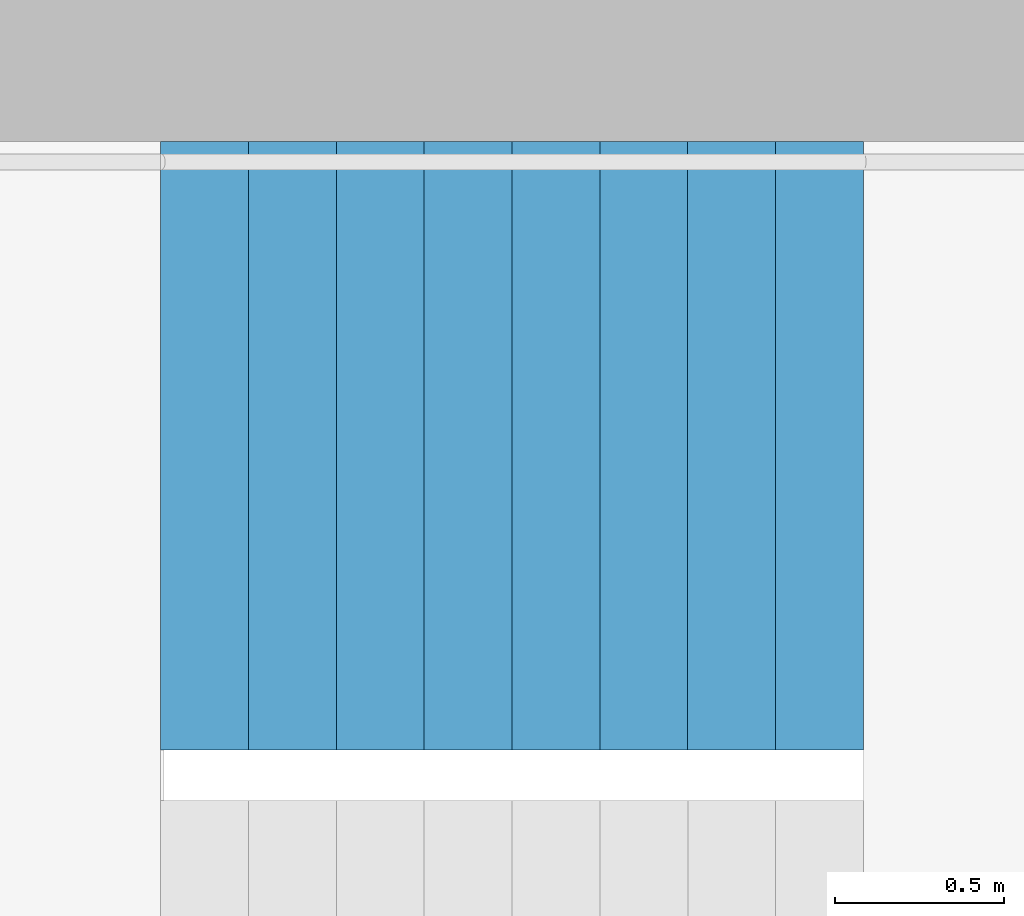
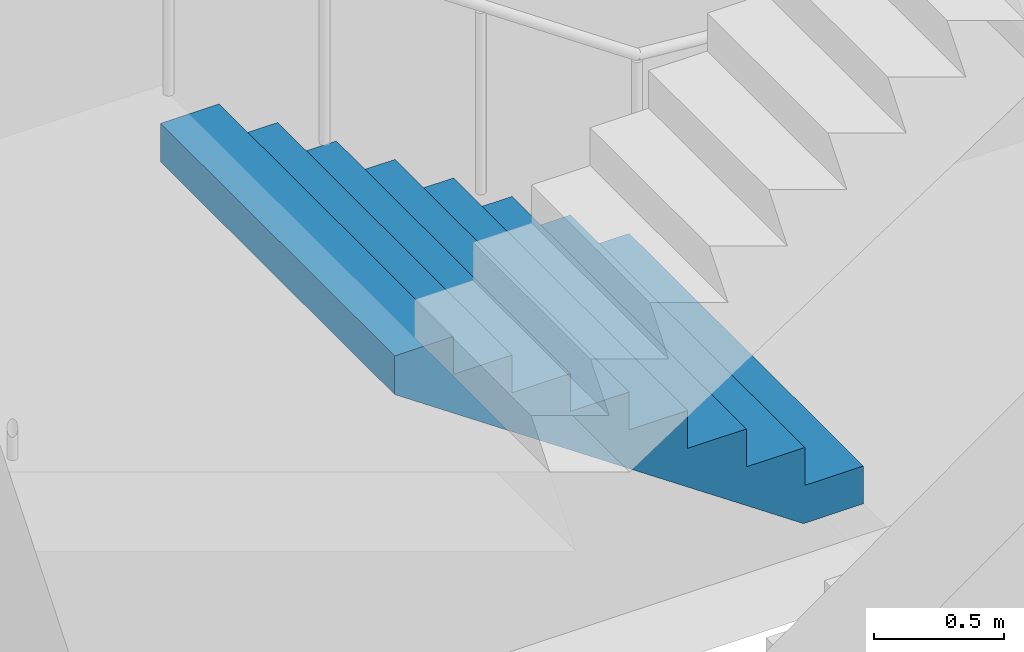
# One storey, part 23 of 43: 1 stair flight, 1 element without a shape of its own.
"""IFC4 building model written with IfcOpenShell, lengths in metres."""

from ifc_helpers import new_model, si_unit, direction, frame, origin, place, context, subcontext, project, spatial, triangles, material, type_object, element, aggregate, save


model = new_model("IFC4")

# Units and contexts
model_context = context("Model", 3, precision=1e-05, world=origin(), true_north=direction((0.0, 1.0)))
body_context = subcontext(model_context, "Body", "Model", "MODEL_VIEW")
ifc_project = project(units=[si_unit("LENGTHUNIT", "METRE"), si_unit("AREAUNIT", "SQUARE_METRE"), si_unit("VOLUMEUNIT", "CUBIC_METRE"), si_unit("PLANEANGLEUNIT", "RADIAN"), si_unit("MASSUNIT", "GRAM", prefix="KILO")], contexts=[model_context])

# Site, building, storey
site_placement = place(None, origin())
site = spatial("IfcSite", under=ifc_project, at=site_placement, CompositionType="ELEMENT")
building_placement = place(site_placement, origin())
building = spatial("IfcBuilding", under=site, at=building_placement, Name="Hakoniwa Tower and Hamabe Station Hall", CompositionType="ELEMENT")
storey_placement = place(building_placement, frame((0.0, 0.0, 124.60009765625)))
storey = spatial("IfcBuildingStorey", under=building, at=storey_placement, Name="L35", CompositionType="ELEMENT", Elevation=124.60009765625)

# Stair, stair flight
ifc_material_1 = material(Name="Concrete C40", Category="concrete")
stair_type = type_object("IfcStairType", Name="ESCAPE STAIR 1800", PredefinedType="HALF_TURN_STAIR", material=ifc_material_1)
stair_placement = place(storey_placement, origin())
stair = element("IfcStair", 1, at=stair_placement, inside=storey, type_object=stair_type, Name="Escape stair ST-1 L35", PredefinedType="HALF_TURN_STAIR")
ifc_material_2 = material(Name="Concrete C40", Category="concrete")
stair_flight_type = type_object("IfcStairFlightType", Name="STAIR FLIGHT 1800", PredefinedType="STRAIGHT", material=ifc_material_2)
stair_flight_placement = place(storey_placement, frame((-22.320068359375, 6.60009765625, 1.599853515625), z_axis=(0.0, 0.0, 1.0), x_axis=(-1.0, 0.0, 0.0)))
stair_flight = element("IfcStairFlight", 2, at=stair_flight_placement, type_object=stair_flight_type, Name="ST-1 flight 2", NumberOfRisers=9, NumberOfTreads=8, PredefinedType="STRAIGHT", RiserHeight=0.177777778, TreadLength=0.26, context=body_context, shape_type="Tessellation", body=[
    triangles([(0.0, 0.89990234375, 0.0), (0.260009765625, 0.89990234375, 0.0), (0.265625, 0.89990234375, 0.0), (0.52001953125, 0.89990234375, 0.174072265625), (0.780029296875, 0.89990234375, 0.351806640625), (1.0400390625, 0.89990234375, 0.529541015625), (1.300048828125, 0.89990234375, 0.707275390625), (1.56005859375, 0.89990234375, 0.885009765625), (1.820068359375, 0.89990234375, 1.062744140625), (2.080078125, 0.89990234375, 1.24072265625), (2.080078125, 0.89990234375, 1.422119140625), (1.820068359375, 0.89990234375, 1.422119140625), (1.820068359375, 0.89990234375, 1.244384765625), (1.56005859375, 0.89990234375, 1.244384765625), (1.56005859375, 0.89990234375, 1.066650390625), (1.300048828125, 0.89990234375, 1.066650390625), (1.300048828125, 0.89990234375, 0.888916015625), (1.0400390625, 0.89990234375, 0.888916015625), (1.0400390625, 0.89990234375, 0.711181640625), (0.780029296875, 0.89990234375, 0.711181640625), (0.780029296875, 0.89990234375, 0.533447265625), (0.52001953125, 0.89990234375, 0.533447265625), (0.52001953125, 0.89990234375, 0.35546875), (0.265625, 0.89990234375, 0.35546875), (0.260009765625, 0.89990234375, 0.35546875), (0.260009765625, 0.89990234375, 0.177734375), (0.0, 0.89990234375, 0.177734375), (0.0, 0.06005859375, 0.0), (0.260009765625, 0.06005859375, 0.0), (0.265625, 0.06005859375, 0.0), (0.52001953125, 0.06005859375, 0.174072265625), (0.780029296875, 0.06005859375, 0.351806640625), (1.0400390625, 0.06005859375, 0.529541015625), (1.300048828125, 0.06005859375, 0.707275390625), (1.56005859375, 0.06005859375, 0.885009765625), (1.820068359375, 0.06005859375, 1.062744140625), (2.080078125, 0.06005859375, 1.24072265625), (2.080078125, 0.06005859375, 1.422119140625), (1.820068359375, 0.06005859375, 1.422119140625), (1.820068359375, 0.06005859375, 1.244384765625), (1.56005859375, 0.06005859375, 1.244384765625), (1.56005859375, 0.06005859375, 1.066650390625), (1.300048828125, 0.06005859375, 1.066650390625), (1.300048828125, 0.06005859375, 0.888916015625), (1.0400390625, 0.06005859375, 0.888916015625), (1.0400390625, 0.06005859375, 0.711181640625), (0.780029296875, 0.06005859375, 0.711181640625), (0.780029296875, 0.06005859375, 0.533447265625), (0.52001953125, 0.06005859375, 0.533447265625), (0.52001953125, 0.06005859375, 0.35546875), (0.265625, 0.06005859375, 0.35546875), (0.260009765625, 0.06005859375, 0.35546875), (0.260009765625, 0.06005859375, 0.177734375), (0.0, 0.06005859375, 0.177734375), (0.0, 0.04296875, 0.0), (0.260009765625, 0.04296875, 0.0), (0.265625, 0.04296875, 0.0), (0.52001953125, 0.04296875, 0.174072265625), (0.780029296875, 0.04296875, 0.351806640625), (1.0400390625, 0.04296875, 0.529541015625), (1.300048828125, 0.04296875, 0.707275390625), (1.56005859375, 0.04296875, 0.885009765625), (1.820068359375, 0.04296875, 1.062744140625), (2.080078125, 0.04296875, 1.24072265625), (2.080078125, 0.04296875, 1.422119140625), (1.820068359375, 0.04296875, 1.422119140625), (1.820068359375, 0.04296875, 1.244384765625), (1.56005859375, 0.04296875, 1.244384765625), (1.56005859375, 0.04296875, 1.066650390625), (1.300048828125, 0.04296875, 1.066650390625), (1.300048828125, 0.04296875, 0.888916015625), (1.0400390625, 0.04296875, 0.888916015625), (1.0400390625, 0.04296875, 0.711181640625), (0.780029296875, 0.04296875, 0.711181640625), (0.780029296875, 0.04296875, 0.533447265625), (0.52001953125, 0.04296875, 0.533447265625), (0.52001953125, 0.04296875, 0.35546875), (0.265625, 0.04296875, 0.35546875), (0.260009765625, 0.04296875, 0.35546875), (0.260009765625, 0.04296875, 0.177734375), (0.0, 0.04296875, 0.177734375), (0.0, 0.025634765625, 0.0), (0.260009765625, 0.025634765625, 0.0), (0.265625, 0.025634765625, 0.0), (0.52001953125, 0.025634765625, 0.174072265625), (0.780029296875, 0.025634765625, 0.351806640625), (1.0400390625, 0.025634765625, 0.529541015625), (1.300048828125, 0.025634765625, 0.707275390625), (1.56005859375, 0.025634765625, 0.885009765625), (1.820068359375, 0.025634765625, 1.062744140625), (2.080078125, 0.025634765625, 1.24072265625), (2.080078125, 0.025634765625, 1.422119140625), (1.820068359375, 0.025634765625, 1.422119140625), (1.820068359375, 0.025634765625, 1.244384765625), (1.56005859375, 0.025634765625, 1.244384765625), (1.56005859375, 0.025634765625, 1.066650390625), (1.300048828125, 0.025634765625, 1.066650390625), (1.300048828125, 0.025634765625, 0.888916015625), (1.0400390625, 0.025634765625, 0.888916015625), (1.0400390625, 0.025634765625, 0.711181640625), (0.780029296875, 0.025634765625, 0.711181640625), (0.780029296875, 0.025634765625, 0.533447265625), (0.52001953125, 0.025634765625, 0.533447265625), (0.52001953125, 0.025634765625, 0.35546875), (0.265625, 0.025634765625, 0.35546875), (0.260009765625, 0.025634765625, 0.35546875), (0.260009765625, 0.025634765625, 0.177734375), (0.0, 0.025634765625, 0.177734375), (0.0, 0.008544921875, 0.0), (0.260009765625, 0.008544921875, 0.0), (0.265625, 0.008544921875, 0.0), (0.52001953125, 0.008544921875, 0.174072265625), (0.780029296875, 0.008544921875, 0.351806640625), (1.0400390625, 0.008544921875, 0.529541015625), (1.300048828125, 0.008544921875, 0.707275390625), (1.56005859375, 0.008544921875, 0.885009765625), (1.820068359375, 0.008544921875, 1.062744140625), (2.080078125, 0.008544921875, 1.24072265625), (2.080078125, 0.008544921875, 1.422119140625), (1.820068359375, 0.008544921875, 1.422119140625), (1.820068359375, 0.008544921875, 1.244384765625), (1.56005859375, 0.008544921875, 1.244384765625), (1.56005859375, 0.008544921875, 1.066650390625), (1.300048828125, 0.008544921875, 1.066650390625), (1.300048828125, 0.008544921875, 0.888916015625), (1.0400390625, 0.008544921875, 0.888916015625), (1.0400390625, 0.008544921875, 0.711181640625), (0.780029296875, 0.008544921875, 0.711181640625), (0.780029296875, 0.008544921875, 0.533447265625), (0.52001953125, 0.008544921875, 0.533447265625), (0.52001953125, 0.008544921875, 0.35546875), (0.265625, 0.008544921875, 0.35546875), (0.260009765625, 0.008544921875, 0.35546875), (0.260009765625, 0.008544921875, 0.177734375), (0.0, 0.008544921875, 0.177734375), (0.0, -0.008544921875, 0.0), (0.260009765625, -0.008544921875, 0.0), (0.265625, -0.008544921875, 0.0), (0.52001953125, -0.008544921875, 0.174072265625), (0.780029296875, -0.008544921875, 0.351806640625), (1.0400390625, -0.008544921875, 0.529541015625), (1.300048828125, -0.008544921875, 0.707275390625), (1.56005859375, -0.008544921875, 0.885009765625), (1.820068359375, -0.008544921875, 1.062744140625), (2.080078125, -0.008544921875, 1.24072265625), (2.080078125, -0.008544921875, 1.422119140625), (1.820068359375, -0.008544921875, 1.422119140625), (1.820068359375, -0.008544921875, 1.244384765625), (1.56005859375, -0.008544921875, 1.244384765625), (1.56005859375, -0.008544921875, 1.066650390625), (1.300048828125, -0.008544921875, 1.066650390625), (1.300048828125, -0.008544921875, 0.888916015625), (1.0400390625, -0.008544921875, 0.888916015625), (1.0400390625, -0.008544921875, 0.711181640625), (0.780029296875, -0.008544921875, 0.711181640625), (0.780029296875, -0.008544921875, 0.533447265625), (0.52001953125, -0.008544921875, 0.533447265625), (0.52001953125, -0.008544921875, 0.35546875), (0.265625, -0.008544921875, 0.35546875), (0.260009765625, -0.008544921875, 0.35546875), (0.260009765625, -0.008544921875, 0.177734375), (0.0, -0.008544921875, 0.177734375), (0.0, -0.025634765625, 0.0), (0.260009765625, -0.025634765625, 0.0), (0.265625, -0.025634765625, 0.0), (0.52001953125, -0.025634765625, 0.174072265625), (0.780029296875, -0.025634765625, 0.351806640625), (1.0400390625, -0.025634765625, 0.529541015625), (1.300048828125, -0.025634765625, 0.707275390625), (1.56005859375, -0.025634765625, 0.885009765625), (1.820068359375, -0.025634765625, 1.062744140625), (2.080078125, -0.025634765625, 1.24072265625), (2.080078125, -0.025634765625, 1.422119140625), (1.820068359375, -0.025634765625, 1.422119140625), (1.820068359375, -0.025634765625, 1.244384765625), (1.56005859375, -0.025634765625, 1.244384765625), (1.56005859375, -0.025634765625, 1.066650390625), (1.300048828125, -0.025634765625, 1.066650390625), (1.300048828125, -0.025634765625, 0.888916015625), (1.0400390625, -0.025634765625, 0.888916015625), (1.0400390625, -0.025634765625, 0.711181640625), (0.780029296875, -0.025634765625, 0.711181640625), (0.780029296875, -0.025634765625, 0.533447265625), (0.52001953125, -0.025634765625, 0.533447265625), (0.52001953125, -0.025634765625, 0.35546875), (0.265625, -0.025634765625, 0.35546875), (0.260009765625, -0.025634765625, 0.35546875), (0.260009765625, -0.025634765625, 0.177734375), (0.0, -0.025634765625, 0.177734375), (0.0, -0.04296875, 0.0), (0.260009765625, -0.04296875, 0.0), (0.265625, -0.04296875, 0.0), (0.52001953125, -0.04296875, 0.174072265625), (0.780029296875, -0.04296875, 0.351806640625), (1.0400390625, -0.04296875, 0.529541015625), (1.300048828125, -0.04296875, 0.707275390625), (1.56005859375, -0.04296875, 0.885009765625), (1.820068359375, -0.04296875, 1.062744140625), (2.080078125, -0.04296875, 1.24072265625), (2.080078125, -0.04296875, 1.422119140625), (1.820068359375, -0.04296875, 1.422119140625), (1.820068359375, -0.04296875, 1.244384765625), (1.56005859375, -0.04296875, 1.244384765625), (1.56005859375, -0.04296875, 1.066650390625), (1.300048828125, -0.04296875, 1.066650390625), (1.300048828125, -0.04296875, 0.888916015625), (1.0400390625, -0.04296875, 0.888916015625), (1.0400390625, -0.04296875, 0.711181640625), (0.780029296875, -0.04296875, 0.711181640625), (0.780029296875, -0.04296875, 0.533447265625), (0.52001953125, -0.04296875, 0.533447265625), (0.52001953125, -0.04296875, 0.35546875), (0.265625, -0.04296875, 0.35546875), (0.260009765625, -0.04296875, 0.35546875), (0.260009765625, -0.04296875, 0.177734375), (0.0, -0.04296875, 0.177734375), (0.0, -0.06005859375, 0.0), (0.260009765625, -0.06005859375, 0.0), (0.265625, -0.06005859375, 0.0), (0.52001953125, -0.06005859375, 0.174072265625), (0.780029296875, -0.06005859375, 0.351806640625), (1.0400390625, -0.06005859375, 0.529541015625), (1.300048828125, -0.06005859375, 0.707275390625), (1.56005859375, -0.06005859375, 0.885009765625), (1.820068359375, -0.06005859375, 1.062744140625), (2.080078125, -0.06005859375, 1.24072265625), (2.080078125, -0.06005859375, 1.422119140625), (1.820068359375, -0.06005859375, 1.422119140625), (1.820068359375, -0.06005859375, 1.244384765625), (1.56005859375, -0.06005859375, 1.244384765625), (1.56005859375, -0.06005859375, 1.066650390625), (1.300048828125, -0.06005859375, 1.066650390625), (1.300048828125, -0.06005859375, 0.888916015625), (1.0400390625, -0.06005859375, 0.888916015625), (1.0400390625, -0.06005859375, 0.711181640625), (0.780029296875, -0.06005859375, 0.711181640625), (0.780029296875, -0.06005859375, 0.533447265625), (0.52001953125, -0.06005859375, 0.533447265625), (0.52001953125, -0.06005859375, 0.35546875), (0.265625, -0.06005859375, 0.35546875), (0.260009765625, -0.06005859375, 0.35546875), (0.260009765625, -0.06005859375, 0.177734375), (0.0, -0.06005859375, 0.177734375), (0.0, -0.89990234375, 0.0), (0.260009765625, -0.89990234375, 0.0), (0.265625, -0.89990234375, 0.0), (0.52001953125, -0.89990234375, 0.174072265625), (0.780029296875, -0.89990234375, 0.351806640625), (1.0400390625, -0.89990234375, 0.529541015625), (1.300048828125, -0.89990234375, 0.707275390625), (1.56005859375, -0.89990234375, 0.885009765625), (1.820068359375, -0.89990234375, 1.062744140625), (2.080078125, -0.89990234375, 1.24072265625), (2.080078125, -0.89990234375, 1.422119140625), (1.820068359375, -0.89990234375, 1.422119140625), (1.820068359375, -0.89990234375, 1.244384765625), (1.56005859375, -0.89990234375, 1.244384765625), (1.56005859375, -0.89990234375, 1.066650390625), (1.300048828125, -0.89990234375, 1.066650390625), (1.300048828125, -0.89990234375, 0.888916015625), (1.0400390625, -0.89990234375, 0.888916015625), (1.0400390625, -0.89990234375, 0.711181640625), (0.780029296875, -0.89990234375, 0.711181640625), (0.780029296875, -0.89990234375, 0.533447265625), (0.52001953125, -0.89990234375, 0.533447265625), (0.52001953125, -0.89990234375, 0.35546875), (0.265625, -0.89990234375, 0.35546875), (0.260009765625, -0.89990234375, 0.35546875), (0.260009765625, -0.89990234375, 0.177734375), (0.0, -0.89990234375, 0.177734375)], [[2, 27, 26], [245, 269, 270], [2, 1, 27], [245, 270, 244], [3, 25, 24], [246, 267, 268], [3, 26, 25], [246, 268, 269], [3, 2, 26], [246, 269, 245], [4, 24, 23], [247, 266, 267], [4, 3, 24], [247, 267, 246], [5, 22, 21], [248, 264, 265], [5, 23, 22], [248, 265, 266], [5, 4, 23], [248, 266, 247], [6, 20, 19], [249, 262, 263], [6, 21, 20], [249, 263, 264], [6, 5, 21], [249, 264, 248], [7, 18, 17], [250, 260, 261], [7, 19, 18], [250, 261, 262], [7, 6, 19], [250, 262, 249], [8, 16, 15], [251, 258, 259], [8, 17, 16], [251, 259, 260], [8, 7, 17], [251, 260, 250], [9, 14, 13], [252, 256, 257], [9, 15, 14], [252, 257, 258], [9, 8, 15], [252, 258, 251], [10, 12, 11], [253, 254, 255], [10, 13, 12], [253, 255, 256], [10, 9, 13], [253, 256, 252], [1, 2, 29], [1, 29, 28], [28, 29, 56], [28, 56, 55], [55, 56, 83], [55, 83, 82], [82, 83, 110], [82, 110, 109], [109, 110, 137], [109, 137, 136], [136, 137, 164], [136, 164, 163], [163, 164, 191], [163, 191, 190], [190, 191, 218], [190, 218, 217], [217, 218, 245], [217, 245, 244], [2, 3, 30], [2, 30, 29], [29, 30, 57], [29, 57, 56], [56, 57, 84], [56, 84, 83], [83, 84, 111], [83, 111, 110], [110, 111, 138], [110, 138, 137], [137, 138, 165], [137, 165, 164], [164, 165, 192], [164, 192, 191], [191, 192, 219], [191, 219, 218], [218, 219, 246], [218, 246, 245], [3, 4, 31], [3, 31, 30], [30, 31, 58], [30, 58, 57], [57, 58, 85], [57, 85, 84], [84, 85, 112], [84, 112, 111], [111, 112, 139], [111, 139, 138], [138, 139, 166], [138, 166, 165], [165, 166, 193], [165, 193, 192], [192, 193, 220], [192, 220, 219], [219, 220, 247], [219, 247, 246], [4, 5, 32], [4, 32, 31], [31, 32, 59], [31, 59, 58], [58, 59, 86], [58, 86, 85], [85, 86, 113], [85, 113, 112], [112, 113, 140], [112, 140, 139], [139, 140, 167], [139, 167, 166], [166, 167, 194], [166, 194, 193], [193, 194, 221], [193, 221, 220], [220, 221, 248], [220, 248, 247], [5, 6, 33], [5, 33, 32], [32, 33, 60], [32, 60, 59], [59, 60, 87], [59, 87, 86], [86, 87, 114], [86, 114, 113], [113, 114, 141], [113, 141, 140], [140, 141, 168], [140, 168, 167], [167, 168, 195], [167, 195, 194], [194, 195, 222], [194, 222, 221], [221, 222, 249], [221, 249, 248], [6, 7, 34], [6, 34, 33], [33, 34, 61], [33, 61, 60], [60, 61, 88], [60, 88, 87], [87, 88, 115], [87, 115, 114], [114, 115, 142], [114, 142, 141], [141, 142, 169], [141, 169, 168], [168, 169, 196], [168, 196, 195], [195, 196, 223], [195, 223, 222], [222, 223, 250], [222, 250, 249], [7, 8, 35], [7, 35, 34], [34, 35, 62], [34, 62, 61], [61, 62, 89], [61, 89, 88], [88, 89, 116], [88, 116, 115], [115, 116, 143], [115, 143, 142], [142, 143, 170], [142, 170, 169], [169, 170, 197], [169, 197, 196], [196, 197, 224], [196, 224, 223], [223, 224, 251], [223, 251, 250], [8, 9, 36], [8, 36, 35], [35, 36, 63], [35, 63, 62], [62, 63, 90], [62, 90, 89], [89, 90, 117], [89, 117, 116], [116, 117, 144], [116, 144, 143], [143, 144, 171], [143, 171, 170], [170, 171, 198], [170, 198, 197], [197, 198, 225], [197, 225, 224], [224, 225, 252], [224, 252, 251], [9, 10, 37], [9, 37, 36], [36, 37, 64], [36, 64, 63], [63, 64, 91], [63, 91, 90], [90, 91, 118], [90, 118, 117], [117, 118, 145], [117, 145, 144], [144, 145, 172], [144, 172, 171], [171, 172, 199], [171, 199, 198], [198, 199, 226], [198, 226, 225], [225, 226, 253], [225, 253, 252], [10, 11, 38], [10, 38, 37], [37, 38, 65], [37, 65, 64], [64, 65, 92], [64, 92, 91], [91, 92, 119], [91, 119, 118], [118, 119, 146], [118, 146, 145], [145, 146, 173], [145, 173, 172], [172, 173, 200], [172, 200, 199], [199, 200, 227], [199, 227, 226], [226, 227, 254], [226, 254, 253], [11, 12, 39], [11, 39, 38], [38, 39, 66], [38, 66, 65], [65, 66, 93], [65, 93, 92], [92, 93, 120], [92, 120, 119], [119, 120, 147], [119, 147, 146], [146, 147, 174], [146, 174, 173], [173, 174, 201], [173, 201, 200], [200, 201, 228], [200, 228, 227], [227, 228, 255], [227, 255, 254], [12, 13, 40], [12, 40, 39], [39, 40, 67], [39, 67, 66], [66, 67, 94], [66, 94, 93], [93, 94, 121], [93, 121, 120], [120, 121, 148], [120, 148, 147], [147, 148, 175], [147, 175, 174], [174, 175, 202], [174, 202, 201], [201, 202, 229], [201, 229, 228], [228, 229, 256], [228, 256, 255], [13, 14, 41], [13, 41, 40], [40, 41, 68], [40, 68, 67], [67, 68, 95], [67, 95, 94], [94, 95, 122], [94, 122, 121], [121, 122, 149], [121, 149, 148], [148, 149, 176], [148, 176, 175], [175, 176, 203], [175, 203, 202], [202, 203, 230], [202, 230, 229], [229, 230, 257], [229, 257, 256], [14, 15, 42], [14, 42, 41], [41, 42, 69], [41, 69, 68], [68, 69, 96], [68, 96, 95], [95, 96, 123], [95, 123, 122], [122, 123, 150], [122, 150, 149], [149, 150, 177], [149, 177, 176], [176, 177, 204], [176, 204, 203], [203, 204, 231], [203, 231, 230], [230, 231, 258], [230, 258, 257], [15, 16, 43], [15, 43, 42], [42, 43, 70], [42, 70, 69], [69, 70, 97], [69, 97, 96], [96, 97, 124], [96, 124, 123], [123, 124, 151], [123, 151, 150], [150, 151, 178], [150, 178, 177], [177, 178, 205], [177, 205, 204], [204, 205, 232], [204, 232, 231], [231, 232, 259], [231, 259, 258], [16, 17, 44], [16, 44, 43], [43, 44, 71], [43, 71, 70], [70, 71, 98], [70, 98, 97], [97, 98, 125], [97, 125, 124], [124, 125, 152], [124, 152, 151], [151, 152, 179], [151, 179, 178], [178, 179, 206], [178, 206, 205], [205, 206, 233], [205, 233, 232], [232, 233, 260], [232, 260, 259], [17, 18, 45], [17, 45, 44], [44, 45, 72], [44, 72, 71], [71, 72, 99], [71, 99, 98], [98, 99, 126], [98, 126, 125], [125, 126, 153], [125, 153, 152], [152, 153, 180], [152, 180, 179], [179, 180, 207], [179, 207, 206], [206, 207, 234], [206, 234, 233], [233, 234, 261], [233, 261, 260], [18, 19, 46], [18, 46, 45], [45, 46, 73], [45, 73, 72], [72, 73, 100], [72, 100, 99], [99, 100, 127], [99, 127, 126], [126, 127, 154], [126, 154, 153], [153, 154, 181], [153, 181, 180], [180, 181, 208], [180, 208, 207], [207, 208, 235], [207, 235, 234], [234, 235, 262], [234, 262, 261], [19, 20, 47], [19, 47, 46], [46, 47, 74], [46, 74, 73], [73, 74, 101], [73, 101, 100], [100, 101, 128], [100, 128, 127], [127, 128, 155], [127, 155, 154], [154, 155, 182], [154, 182, 181], [181, 182, 209], [181, 209, 208], [208, 209, 236], [208, 236, 235], [235, 236, 263], [235, 263, 262], [20, 21, 48], [20, 48, 47], [47, 48, 75], [47, 75, 74], [74, 75, 102], [74, 102, 101], [101, 102, 129], [101, 129, 128], [128, 129, 156], [128, 156, 155], [155, 156, 183], [155, 183, 182], [182, 183, 210], [182, 210, 209], [209, 210, 237], [209, 237, 236], [236, 237, 264], [236, 264, 263], [21, 22, 49], [21, 49, 48], [48, 49, 76], [48, 76, 75], [75, 76, 103], [75, 103, 102], [102, 103, 130], [102, 130, 129], [129, 130, 157], [129, 157, 156], [156, 157, 184], [156, 184, 183], [183, 184, 211], [183, 211, 210], [210, 211, 238], [210, 238, 237], [237, 238, 265], [237, 265, 264], [22, 23, 50], [22, 50, 49], [49, 50, 77], [49, 77, 76], [76, 77, 104], [76, 104, 103], [103, 104, 131], [103, 131, 130], [130, 131, 158], [130, 158, 157], [157, 158, 185], [157, 185, 184], [184, 185, 212], [184, 212, 211], [211, 212, 239], [211, 239, 238], [238, 239, 266], [238, 266, 265], [23, 24, 51], [23, 51, 50], [50, 51, 78], [50, 78, 77], [77, 78, 105], [77, 105, 104], [104, 105, 132], [104, 132, 131], [131, 132, 159], [131, 159, 158], [158, 159, 186], [158, 186, 185], [185, 186, 213], [185, 213, 212], [212, 213, 240], [212, 240, 239], [239, 240, 267], [239, 267, 266], [24, 25, 52], [24, 52, 51], [51, 52, 79], [51, 79, 78], [78, 79, 106], [78, 106, 105], [105, 106, 133], [105, 133, 132], [132, 133, 160], [132, 160, 159], [159, 160, 187], [159, 187, 186], [186, 187, 214], [186, 214, 213], [213, 214, 241], [213, 241, 240], [240, 241, 268], [240, 268, 267], [25, 26, 53], [25, 53, 52], [52, 53, 80], [52, 80, 79], [79, 80, 107], [79, 107, 106], [106, 107, 134], [106, 134, 133], [133, 134, 161], [133, 161, 160], [160, 161, 188], [160, 188, 187], [187, 188, 215], [187, 215, 214], [214, 215, 242], [214, 242, 241], [241, 242, 269], [241, 269, 268], [26, 27, 54], [26, 54, 53], [53, 54, 81], [53, 81, 80], [80, 81, 108], [80, 108, 107], [107, 108, 135], [107, 135, 134], [134, 135, 162], [134, 162, 161], [161, 162, 189], [161, 189, 188], [188, 189, 216], [188, 216, 215], [215, 216, 243], [215, 243, 242], [242, 243, 270], [242, 270, 269], [27, 1, 28], [27, 28, 54], [54, 28, 55], [54, 55, 81], [81, 55, 82], [81, 82, 108], [108, 82, 109], [108, 109, 135], [135, 109, 136], [135, 136, 162], [162, 136, 163], [162, 163, 189], [189, 163, 190], [189, 190, 216], [216, 190, 217], [216, 217, 243], [243, 217, 244], [243, 244, 270]], closed=True),
])
aggregate(stair, [stair_flight])

save(model, "model.ifc")
